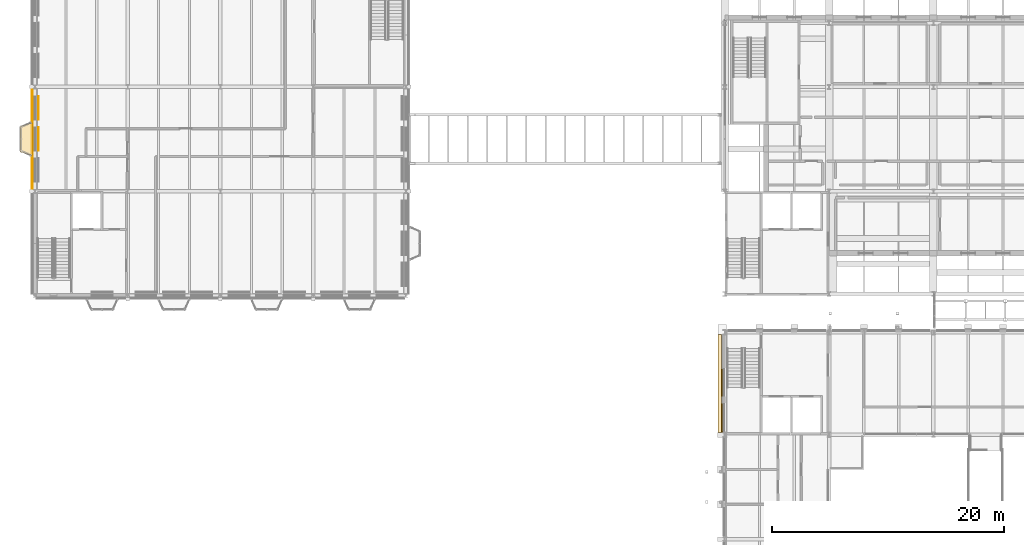
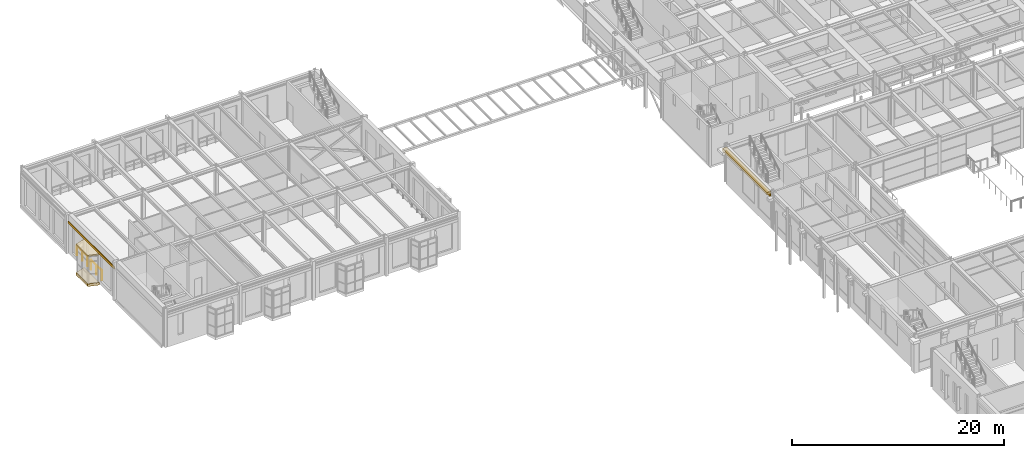
# One storey, part 139 of 153: 5 coverings, 2 railings.
"""IFC4 building model written with IfcOpenShell, lengths in metres."""

from ifc_helpers import new_model, si_unit, direction, frame, origin, origin_2d, place, context, subcontext, project, spatial, polyline, rectangle, circle, outline, extrude, material, layer, layer_set, type_object, element, save


model = new_model("IFC4")

# Units and contexts
model_context = context("Model", 3, precision=1e-05, world=origin(), true_north=direction((0.0, 1.0)))
body_context = subcontext(model_context, "Body", "Model", "MODEL_VIEW")
ifc_project = project(units=[si_unit("LENGTHUNIT", "METRE"), si_unit("AREAUNIT", "SQUARE_METRE"), si_unit("VOLUMEUNIT", "CUBIC_METRE"), si_unit("PLANEANGLEUNIT", "RADIAN"), si_unit("MASSUNIT", "GRAM", prefix="KILO")], contexts=[model_context])

# Site, building, storey
site_placement = place(None, origin())
site = spatial("IfcSite", under=ifc_project, at=site_placement, CompositionType="ELEMENT")
building_placement = place(site_placement, origin())
building = spatial("IfcBuilding", under=site, at=building_placement, Name="Kallimachos Central Library", CompositionType="ELEMENT")
storey_placement = place(building_placement, frame((0.0, 0.0, 5.39990234375)))
storey = spatial("IfcBuildingStorey", under=building, at=storey_placement, Name="L01", CompositionType="ELEMENT", Elevation=5.39990234375)

# Coverings
ifc_material_1 = material(Name="Glazed ceramic frieze, green")
ifc_layer_1 = layer(ifc_material_1, 0.10009765625)
ifc_layer_set_1 = layer_set([ifc_layer_1], Name="Glazed ceramic frieze, green")
covering_type_1 = type_object("IfcCoveringType", Name="Glazed ceramic frieze, green", PredefinedType="CLADDING", material=ifc_layer_set_1)
covering_1_placement = place(storey_placement, frame((65.29638671875, 79.425048828125, 3.68017578125), z_axis=(0.0, 0.0, 1.0), x_axis=(1.0, 0.0, 0.0)))
element("IfcCovering", 1, at=covering_1_placement, inside=storey, type_object=covering_type_1, Name="Glazed ceramic frieze, green -L01-028", PredefinedType="CLADDING", context=body_context, shape_type="SweptSolid", body=[
    extrude(rectangle(XDim=0.10009765625, YDim=8.41796875, at=origin_2d()), origin(), (0.0, 0.0, 1.0), 0.300048828125),
])
ifc_material_2 = material(Name="Pentelic marble cornice", Category="masonry")
ifc_layer_2 = layer(ifc_material_2, 0.449951171875)
ifc_layer_set_2 = layer_set([ifc_layer_2], Name="Stone cornice 450")
covering_type_2 = type_object("IfcCoveringType", Name="Stone cornice 450", PredefinedType="MOLDING", material=ifc_layer_set_2)
covering_2_placement = place(storey_placement, frame((65.12158203125, 79.425048828125, 4.0), z_axis=(0.0, 0.0, 1.0), x_axis=(1.0, 0.0, 0.0)))
element("IfcCovering", 2, at=covering_2_placement, inside=storey, type_object=covering_type_2, Name="Stone cornice 450 -L01-028", PredefinedType="MOLDING", context=body_context, shape_type="SweptSolid", body=[
    extrude(rectangle(XDim=0.449951171875, YDim=8.41796875, at=origin_2d()), origin(), (0.0, 0.0, 1.0), 0.300048828125),
])
ifc_material_3 = material(Name="Lead-coated copper sheet")
ifc_layer_3 = layer(ifc_material_3, 0.14990234375)
ifc_layer_set_3 = layer_set([ifc_layer_3], Name="Tribune bay roof cap 150")
covering_type_3 = type_object("IfcCoveringType", Name="Tribune bay roof cap 150", PredefinedType="ROOFING", material=ifc_layer_set_3)
covering_3_placement = place(storey_placement, frame((0.0, 0.0, 3.300048828125)))
element("IfcCovering", 3, at=covering_3_placement, inside=storey, type_object=covering_type_3, Name="Tribune bay roof cap", PredefinedType="ROOFING", context=body_context, shape_type="SweptSolid", body=[
    extrude(outline(polyline([(5.800048828125, 99.074951171875), (5.800048828125, 101.925048828125), (4.719970703125, 101.60498046875), (4.719970703125, 99.39501953125), (5.800048828125, 99.074951171875)])), origin(), (0.0, 0.0, 1.0), 0.150146484375),
])
ifc_material_4 = material(Name="Pentelic marble tribune base", Category="masonry")
ifc_layer_4 = layer(ifc_material_4, 0.300048828125)
ifc_layer_set_4 = layer_set([ifc_layer_4], Name="Tribune bay stone base 300")
covering_type_4 = type_object("IfcCoveringType", Name="Tribune bay stone base 300", PredefinedType="MOLDING", material=ifc_layer_set_4)
covering_4_placement = place(storey_placement, frame((0.0, 0.0, -0.14990234375)))
element("IfcCovering", 4, at=covering_4_placement, inside=storey, type_object=covering_type_4, Name="Tribune bay base", PredefinedType="MOLDING", context=body_context, shape_type="SweptSolid", body=[
    extrude(outline(polyline([(5.800048828125, 99.074951171875), (5.800048828125, 101.925048828125), (4.719970703125, 101.60498046875), (4.719970703125, 99.39501953125), (5.800048828125, 99.074951171875)])), origin(), (0.0, 0.0, 1.0), 0.300048828125),
])

# Railings
ifc_material_5 = material(Name="Wrought iron")
railing_type = type_object("IfcRailingType", Name="Window guard 1100", PredefinedType="GUARDRAIL", material=ifc_material_5)
for number, where, name in (
    (5, (6.320068359375, 99.5, 0.0), "Window guard"),
    (6, (6.320068359375, 102.175048828125, 0.0), "Window guard"),
):
    element("IfcRailing", number, at=place(storey_placement, frame(where)), inside=storey, type_object=railing_type, Name=name, PredefinedType="GUARDRAIL", context=body_context, shape_type="SweptSolid", body=[
        extrude(circle(Radius=0.02392578125, at=origin_2d()), frame((0.0, 0.0, 1.076171875), z_axis=(0.0, 1.0, 0.0), x_axis=(-1.0, 0.0, 0.0)), (0.0, 0.0, 1.0), 2.0),
        extrude(circle(Radius=0.02099609375, at=origin_2d()), origin(), (0.0, 0.0, 1.0), 1.052001953125),
        extrude(circle(Radius=0.02099609375, at=origin_2d()), frame((0.0, 1.0, 0.0)), (0.0, 0.0, 1.0), 1.052001953125),
        extrude(circle(Radius=0.02099609375, at=origin_2d()), frame((0.0, 2.0, 0.0)), (0.0, 0.0, 1.0), 1.052001953125),
    ])

# Covering
ifc_material_6 = material(Name="Pentelic marble", Category="masonry")
ifc_layer_5 = layer(ifc_material_6, 0.06005859375)
ifc_layer_set_5 = layer_set([ifc_layer_5], Name="Window head band")
covering_type_5 = type_object("IfcCoveringType", Name="Window head band", PredefinedType="MOLDING", material=ifc_layer_set_5)
covering_5_placement = place(storey_placement, frame((5.77001953125, 100.5, 3.4501953125), z_axis=(0.0, 0.0, 1.0), x_axis=(1.0, 0.0, 0.0)))
element("IfcCovering", 7, at=covering_5_placement, inside=storey, type_object=covering_type_5, Name="head band W96", PredefinedType="MOLDING", context=body_context, shape_type="SweptSolid", body=[
    extrude(rectangle(XDim=0.06005859375, YDim=8.699951171875, at=origin_2d()), origin(), (0.0, 0.0, 1.0), 0.300048828125),
])

save(model, "model.ifc")
